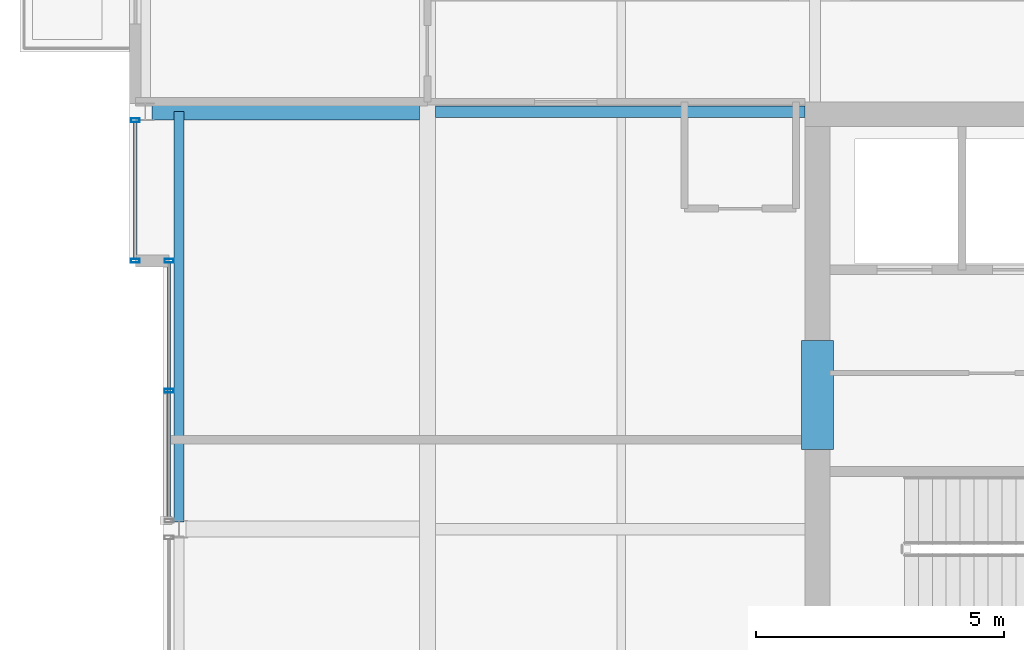
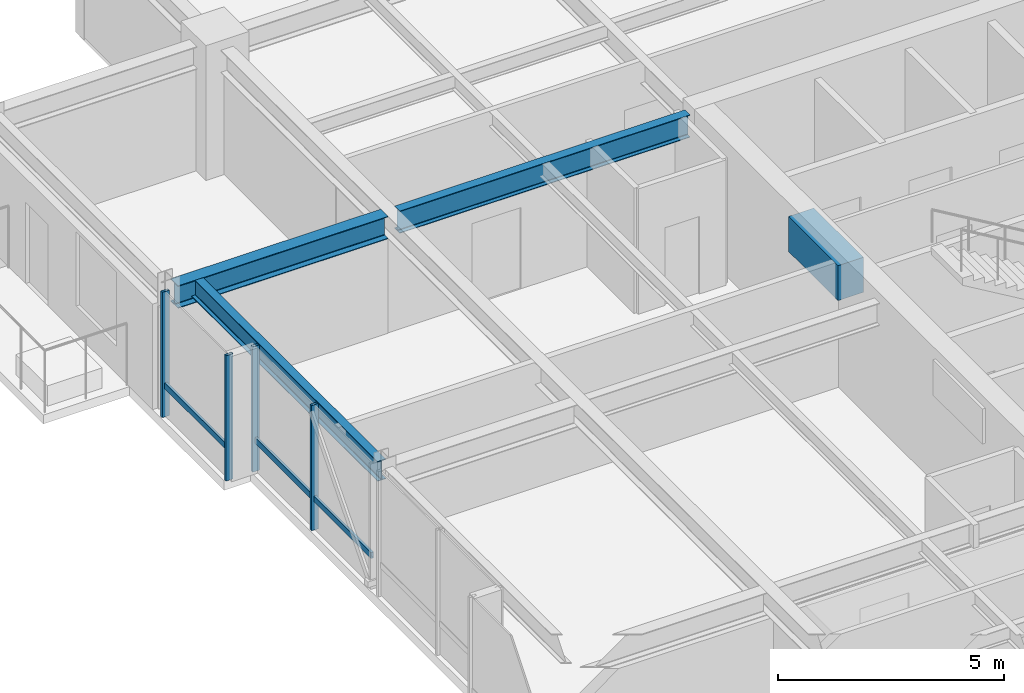
# One storey, part 13 of 33: 6 members, 4 beams, 2 elements without a shape of their own.
"""IFC4 building model written with IfcOpenShell, lengths in metres."""

from ifc_helpers import new_model, si_unit, direction, frame, origin, origin_2d, place, context, subcontext, project, spatial, rectangle, hollow_rectangle, i_section, extrude, material, layer, layer_set, material_profile, profile_set, type_object, element, aggregate, save


model = new_model("IFC4")

# Units and contexts
model_context = context("Model", 3, precision=1e-05, world=origin(), true_north=direction((0.0, 1.0)))
body_context = subcontext(model_context, "Body", "Model", "MODEL_VIEW")
ifc_project = project(units=[si_unit("LENGTHUNIT", "METRE"), si_unit("AREAUNIT", "SQUARE_METRE"), si_unit("VOLUMEUNIT", "CUBIC_METRE"), si_unit("PLANEANGLEUNIT", "RADIAN"), si_unit("MASSUNIT", "GRAM", prefix="KILO")], contexts=[model_context])

# Site, building, storey
site_placement = place(None, origin())
site = spatial("IfcSite", under=ifc_project, at=site_placement, CompositionType="ELEMENT")
building_placement = place(site_placement, origin())
building = spatial("IfcBuilding", under=site, at=building_placement, Name="Drelvath Grand Hotel", CompositionType="ELEMENT")
storey_placement = place(building_placement, frame((0.0, 0.0, 279.60009765625)))
storey = spatial("IfcBuildingStorey", under=building, at=storey_placement, Name="L73", CompositionType="ELEMENT", Elevation=279.60009765625)

# Beam
ifc_material_1 = material(Name="Concrete f'c 55 MPa", Category="concrete")
ifc_material_profile_1 = material_profile(ifc_material_1, rectangle(XDim=0.64990234375, YDim=0.949951171875, at=origin_2d()), Name="CB650X950")
ifc_profile_set_1 = profile_set([ifc_material_profile_1], Name="Concrete f'c 55 MPa")
beam_type_1 = type_object("IfcBeamType", Name="Core Coupling Lintel CB650X950", PredefinedType="LINTEL", material=ifc_profile_set_1)
beam_1_placement = place(storey_placement, frame((-8.35009765625, 28.60009765625, 2.914794921875), z_axis=(0.0, 1.0, 0.0), x_axis=(-1.0, 0.0, 0.0)))
element("IfcBeam", 1, at=beam_1_placement, inside=storey, type_object=beam_type_1, Name="L73 Core Coupling Lintel WN", PredefinedType="LINTEL", context=body_context, shape_type="SweptSolid", body=[
    extrude(rectangle(XDim=0.64990234375, YDim=0.949951171875, at=origin_2d()), origin(), (0.0, 0.0, 1.0), 2.199951171875),
])

# Curtain wall, member
ifc_material_2 = material(Name="Platinum-Mist Anodised Aluminium Frame", Category="aluminium")
ifc_layer = layer(ifc_material_2, 0.199951171875)
ifc_layer_set = layer_set([ifc_layer], Name="Platinum-Mist Anodised Aluminium Frame")
curtain_wall_type = type_object("IfcCurtainWallType", Name="Stick Curtain Wall CW-05 Platinum Mist High-Rise", PredefinedType="NOTDEFINED", material=ifc_layer_set)
curtain_wall_1_placement = place(storey_placement, origin())
curtain_wall_1 = element("IfcCurtainWall", 2, at=curtain_wall_1_placement, inside=storey, type_object=curtain_wall_type, Name="L73 CW-05 Curtain Wall CW05-L73-WM2", PredefinedType="NOTDEFINED")
ifc_material_profile_2 = material_profile(ifc_material_2, hollow_rectangle(XDim=0.06494140625, YDim=0.159912109375, WallThickness=0.00390625, at=origin_2d()), Name="HSS160X65X4")
ifc_profile_set_2 = profile_set([ifc_material_profile_2], Name="Platinum-Mist Anodised Aluminium Frame")
member_type_1 = type_object("IfcMemberType", Name="Curtain Wall Horizontal Transom CW-05 HSS160X65X4", PredefinedType="USERDEFINED", material=ifc_profile_set_2)
member_1_placement = place(storey_placement, frame((-21.39990234375, 27.2099609375, 0.847412109375), z_axis=(0.0, 1.0, 0.0), x_axis=(-1.0, 0.0, 0.0)))
member_1 = element("IfcMember", 3, at=member_1_placement, type_object=member_type_1, Name="CW05-L73-WM2 Sill Transom", ObjectType="TRANSOM", PredefinedType="USERDEFINED", context=body_context, shape_type="SweptSolid", body=[
    extrude(hollow_rectangle(XDim=0.06494140625, YDim=0.159912109375, WallThickness=0.00390625, at=origin_2d()), origin(), (0.0, 0.0, 1.0), 5.150146484375),
])

curtain_wall_2_placement = place(storey_placement, origin())
curtain_wall_2 = element("IfcCurtainWall", 4, at=curtain_wall_2_placement, inside=storey, type_object=curtain_wall_type, Name="L73 CW-05 Curtain Wall CW05-L73-WN1", PredefinedType="NOTDEFINED")
member_2_placement = place(storey_placement, frame((-22.080078125, 32.43994140625, 0.847412109375), z_axis=(0.0, 1.0, 0.0), x_axis=(-1.0, 0.0, 0.0)))
member_2 = element("IfcMember", 5, at=member_2_placement, type_object=member_type_1, Name="CW05-L73-WN1 Sill Transom", ObjectType="TRANSOM", PredefinedType="USERDEFINED", context=body_context, shape_type="SweptSolid", body=[
    extrude(hollow_rectangle(XDim=0.06494140625, YDim=0.159912109375, WallThickness=0.00390625, at=origin_2d()), origin(), (0.0, 0.0, 1.0), 2.75),
])

# Member
ifc_material_profile_3 = material_profile(ifc_material_2, hollow_rectangle(XDim=0.074951171875, YDim=0.179931640625, WallThickness=0.0048828125, at=origin_2d()), Name="HSS180X75X5")
ifc_profile_set_3 = profile_set([ifc_material_profile_3], Name="Platinum-Mist Anodised Aluminium Frame")
member_type_2 = type_object("IfcMemberType", Name="Curtain Wall Vertical Mullion CW-05 HSS180X75X5", PredefinedType="MULLION", material=ifc_profile_set_3)
member_3_placement = place(storey_placement, frame((-21.39990234375, 29.784912109375, 0.0), z_axis=(0.0, 0.0, 1.0), x_axis=(0.0, 1.0, 0.0)))
member_3 = element("IfcMember", 6, at=member_3_placement, type_object=member_type_2, Name="CW05-L73-WM2 Mullion 2", PredefinedType="MULLION", context=body_context, shape_type="SweptSolid", body=[
    extrude(hollow_rectangle(XDim=0.074951171875, YDim=0.179931640625, WallThickness=0.0048828125, at=origin_2d()), origin(), (0.0, 0.0, 1.0), 3.389892578125),
])

member_4_placement = place(storey_placement, frame((-21.39990234375, 32.39990234375, 0.0), z_axis=(0.0, 0.0, 1.0), x_axis=(0.0, 1.0, 0.0)))
member_4 = element("IfcMember", 7, at=member_4_placement, type_object=member_type_2, Name="CW05-L73-WM2 Mullion 3", PredefinedType="MULLION", context=body_context, shape_type="SweptSolid", body=[
    extrude(hollow_rectangle(XDim=0.074951171875, YDim=0.179931640625, WallThickness=0.0048828125, at=origin_2d()), origin(), (0.0, 0.0, 1.0), 3.389892578125),
])

aggregate(curtain_wall_1, [member_3, member_4, member_1])

member_5_placement = place(storey_placement, frame((-22.080078125, 32.39990234375, 0.0), z_axis=(0.0, 0.0, 1.0), x_axis=(0.0, 1.0, 0.0)))
member_5 = element("IfcMember", 8, at=member_5_placement, type_object=member_type_2, Name="CW05-L73-WN1 Mullion 1", PredefinedType="MULLION", context=body_context, shape_type="SweptSolid", body=[
    extrude(hollow_rectangle(XDim=0.074951171875, YDim=0.179931640625, WallThickness=0.0048828125, at=origin_2d()), origin(), (0.0, 0.0, 1.0), 3.389892578125),
])

member_6_placement = place(storey_placement, frame((-22.080078125, 35.22998046875, 0.0), z_axis=(0.0, 0.0, 1.0), x_axis=(0.0, 1.0, 0.0)))
member_6 = element("IfcMember", 9, at=member_6_placement, type_object=member_type_2, Name="CW05-L73-WN1 Mullion 2", PredefinedType="MULLION", context=body_context, shape_type="SweptSolid", body=[
    extrude(hollow_rectangle(XDim=0.074951171875, YDim=0.179931640625, WallThickness=0.0048828125, at=origin_2d()), origin(), (0.0, 0.0, 1.0), 3.389892578125),
])

aggregate(curtain_wall_2, [member_5, member_6, member_2])

# Beams
ifc_material_3 = material(Name="Steel ASTM A992 Gr 50", Category="steel")
ifc_material_profile_4 = material_profile(ifc_material_3, i_section(OverallWidth=0.210205078125, OverallDepth=0.53662109375, WebThickness=0.010986328125, FlangeThickness=0.017333984375, FilletRadius=0.01806640625, at=origin_2d()), Name="W21X68")
ifc_profile_set_4 = profile_set([ifc_material_profile_4], Name="Steel ASTM A992 Gr 50")
beam_type_2 = type_object("IfcBeamType", Name="Perimeter Spandrel Beam W21X68", PredefinedType="SPANDREL", material=ifc_profile_set_4)
beam_2_placement = place(storey_placement, frame((-21.199951171875, 27.139892578125, 3.12158203125), z_axis=(0.0, 1.0, 0.0), x_axis=(-1.0, 0.0, 0.0)))
element("IfcBeam", 10, at=beam_2_placement, inside=storey, type_object=beam_type_2, Name="L73 Spandrel West Mid N", PredefinedType="SPANDREL", context=body_context, shape_type="SweptSolid", body=[
    extrude(i_section(OverallWidth=0.210205078125, OverallDepth=0.53662109375, WebThickness=0.010986328125, FlangeThickness=0.017333984375, FilletRadius=0.01806640625, at=origin_2d()), origin(), (0.0, 0.0, 1.0), 8.260009765625),
])
ifc_material_profile_5 = material_profile(ifc_material_3, i_section(OverallWidth=0.323974609375, OverallDepth=0.611083984375, WebThickness=0.0126953125, FlangeThickness=0.01904296875, FilletRadius=0.02197265625, at=origin_2d()), Name="W24X104")
ifc_profile_set_5 = profile_set([ifc_material_profile_5], Name="Steel ASTM A992 Gr 50")
beam_type_3 = type_object("IfcBeamType", Name="Primary Floor Girder W24X104", PredefinedType="BEAM", material=ifc_profile_set_5)
beam_3_placement = place(storey_placement, frame((-21.739990234375, 35.39990234375, 3.08447265625), z_axis=(1.0, 0.0, 0.0), x_axis=(0.0, 1.0, 0.0)))
element("IfcBeam", 11, at=beam_3_placement, inside=storey, type_object=beam_type_3, Name="L73 West Wing Girder F", PredefinedType="BEAM", context=body_context, shape_type="SweptSolid", body=[
    extrude(i_section(OverallWidth=0.323974609375, OverallDepth=0.611083984375, WebThickness=0.0126953125, FlangeThickness=0.01904296875, FilletRadius=0.02197265625, at=origin_2d()), origin(), (0.0, 0.0, 1.0), 5.3779296875),
])
ifc_material_profile_6 = material_profile(ifc_material_3, i_section(OverallWidth=0.228271484375, OverallDepth=0.607666015625, WebThickness=0.01123046875, FlangeThickness=0.017333984375, FilletRadius=0.02001953125, at=origin_2d()), Name="W24X76")
ifc_profile_set_6 = profile_set([ifc_material_profile_6], Name="Steel ASTM A992 Gr 50")
beam_type_4 = type_object("IfcBeamType", Name="Primary Floor Girder W24X76", PredefinedType="BEAM", material=ifc_profile_set_6)
beam_4_placement = place(storey_placement, frame((-16.0380859375, 35.39990234375, 3.086181640625), z_axis=(1.0, 0.0, 0.0), x_axis=(0.0, 1.0, 0.0)))
element("IfcBeam", 12, at=beam_4_placement, inside=storey, type_object=beam_type_4, Name="L73 West Core Tie F", PredefinedType="BEAM", context=body_context, shape_type="SweptSolid", body=[
    extrude(i_section(OverallWidth=0.228271484375, OverallDepth=0.607666015625, WebThickness=0.01123046875, FlangeThickness=0.017333984375, FilletRadius=0.02001953125, at=origin_2d()), origin(), (0.0, 0.0, 1.0), 7.43798828125),
])

save(model, "model.ifc")
